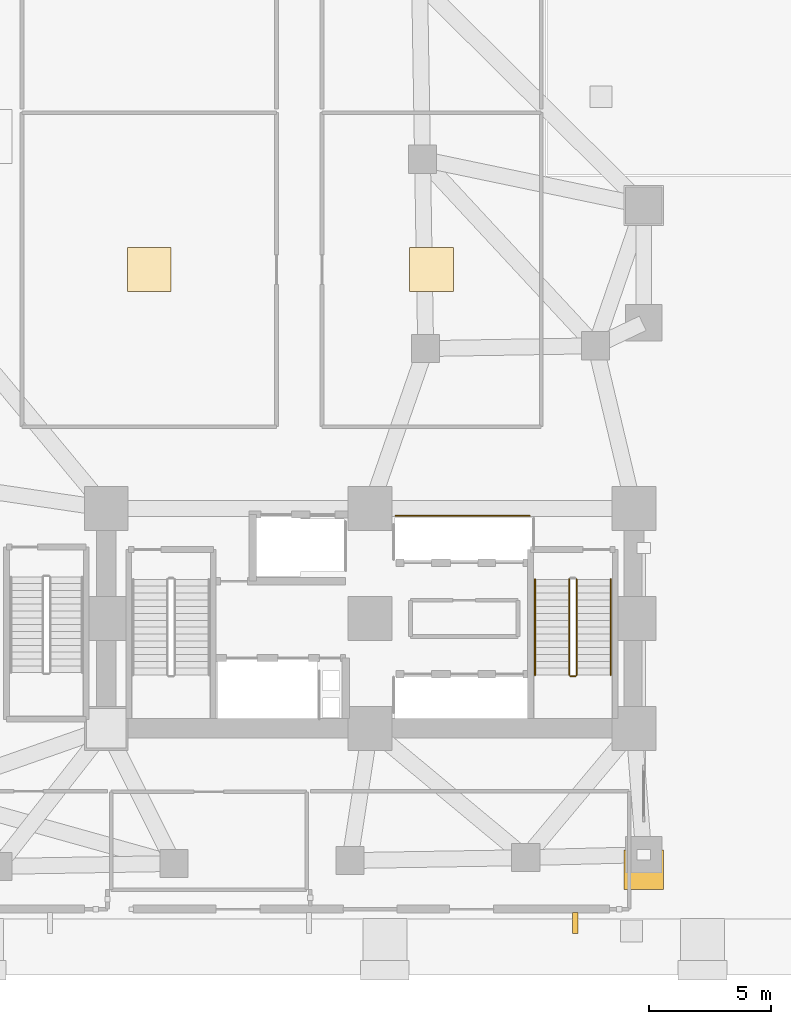
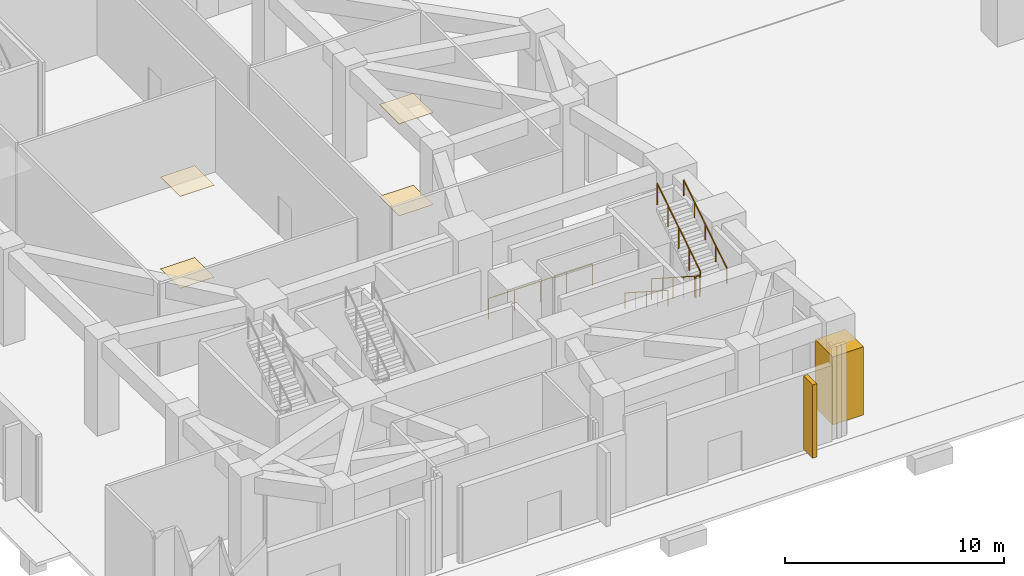
# One storey, part 15 of 19: 6 railings, 5 coverings, 1 shading device.
"""IFC4 building model written with IfcOpenShell, lengths in metres."""

from ifc_helpers import new_model, si_unit, direction, frame, origin, origin_2d, place, context, subcontext, project, spatial, rectangle, circle, extrude, material, layer, layer_set, type_object, element, save


model = new_model("IFC4")

# Units and contexts
model_context = context("Model", 3, precision=1e-05, world=origin(), true_north=direction((0.0, 1.0)))
body_context = subcontext(model_context, "Body", "Model", "MODEL_VIEW")
ifc_project = project(units=[si_unit("LENGTHUNIT", "METRE"), si_unit("AREAUNIT", "SQUARE_METRE"), si_unit("VOLUMEUNIT", "CUBIC_METRE"), si_unit("PLANEANGLEUNIT", "RADIAN"), si_unit("MASSUNIT", "GRAM", prefix="KILO")], contexts=[model_context])

# Site, building, storey
site_placement = place(None, origin())
site = spatial("IfcSite", under=ifc_project, at=site_placement, CompositionType="ELEMENT")
building_placement = place(site_placement, origin())
building = spatial("IfcBuilding", under=site, at=building_placement, Name="Gaonmaruhae Medical Tower", CompositionType="ELEMENT")
storey_placement = place(building_placement, origin())
storey = spatial("IfcBuildingStorey", under=building, at=storey_placement, Name="L00", CompositionType="ELEMENT", Elevation=0.0)

# Coverings
ifc_material_1 = material(Name="Architectural precast column cladding", Category="concrete")
ifc_layer_1 = layer(ifc_material_1, 0.06005859375)
ifc_layer_set_1 = layer_set([ifc_layer_1], Name="Architectural precast column cladding")
covering_type_1 = type_object("IfcCoveringType", Name="CLD-01 Architectural Precast Pier Cladding", PredefinedType="CLADDING", material=ifc_layer_set_1)
covering_placement = place(storey_placement, frame((36.0, 2.02001953125, 0.10009765625), z_axis=(0.0, 0.0, 1.0), x_axis=(1.0, 0.0, 0.0)))
element("IfcCovering", 1, at=covering_placement, inside=storey, type_object=covering_type_1, Name="L00 Architectural Precast Column Cladding 1", PredefinedType="CLADDING", context=body_context, shape_type="SweptSolid", body=[
    extrude(rectangle(XDim=1.6201171875, YDim=1.6201171875, at=origin_2d()), origin(), (0.0, 0.0, 1.0), 3.800048828125),
])
ifc_material_2 = material(Name="Acoustic mineral ceiling tile", Category="finish")
ifc_layer_2 = layer(ifc_material_2, 0.02490234375)
ifc_layer_set_2 = layer_set([ifc_layer_2], Name="Acoustic mineral ceiling tile")
covering_type_2 = type_object("IfcCoveringType", Name="CLG-01 Antimicrobial Acoustic Mineral Ceiling", PredefinedType="CEILING", material=ifc_layer_set_2)
for number, where, z_axis, x_axis, name in (
    (2, (15.760009765625, 26.574951171875, 5.125), (0.0, 0.0, 1.0), (1.0, 0.0, 0.0), "L00 Clinical Room Acoustic Ceiling 3"),
    (3, (27.31494140625, 26.574951171875, 5.125), (0.0, 0.0, 1.0), (1.0, 0.0, 0.0), "L00 Clinical Room Acoustic Ceiling 4"),
):
    element("IfcCovering", number, at=place(storey_placement, frame(where, z_axis=z_axis, x_axis=x_axis)), inside=storey, type_object=covering_type_2, Name=name, PredefinedType="CEILING", context=body_context, shape_type="SweptSolid", body=[
        extrude(rectangle(XDim=1.800048828125, YDim=1.800048828125, at=origin_2d()), origin(), (0.0, 0.0, 1.0), 0.02490234375),
    ])
ifc_material_3 = material(Name="Seamless clinical vinyl flooring", Category="finish")
ifc_layer_3 = layer(ifc_material_3, 0.014892578125)
ifc_layer_set_3 = layer_set([ifc_layer_3], Name="Seamless clinical vinyl flooring")
covering_type_3 = type_object("IfcCoveringType", Name="FLR-01 Seamless Clinical Antistatic Vinyl Flooring", PredefinedType="FLOORING", material=ifc_layer_set_3)
for number, where, z_axis, x_axis, name in (
    (4, (15.760009765625, 26.574951171875, 0.0), (0.0, 0.0, 1.0), (1.0, 0.0, 0.0), "L00 Clinical Room Vinyl Flooring 3"),
    (5, (27.31494140625, 26.574951171875, 0.0), (0.0, 0.0, 1.0), (1.0, 0.0, 0.0), "L00 Clinical Room Vinyl Flooring 4"),
):
    element("IfcCovering", number, at=place(storey_placement, frame(where, z_axis=z_axis, x_axis=x_axis)), inside=storey, type_object=covering_type_3, Name=name, PredefinedType="FLOORING", context=body_context, shape_type="SweptSolid", body=[
        extrude(rectangle(XDim=1.800048828125, YDim=1.800048828125, at=origin_2d()), origin(), (0.0, 0.0, 1.0), 0.014892578125),
    ])

# Railings
ifc_material_4 = material(Name="Stainless steel 304 handrail", Category="steel")
railing_type_1 = type_object("IfcRailingType", Name="HR-092 Continuous Stainless Steel Stair Handrail", PredefinedType="HANDRAIL", material=ifc_material_4)
railing_1_placement = place(storey_placement, frame((31.550048828125, 13.89990234375, 0.179931640625)))
element("IfcRailing", 6, at=railing_1_placement, inside=storey, type_object=railing_type_1, Name="L00 ST-02 stair handrail 1", PredefinedType="HANDRAIL", context=body_context, shape_type="SweptSolid", body=[
    extrude(circle(Radius=0.02392578125, at=origin_2d()), frame((0.0, 0.0, 0.8759765625), z_axis=(0.0, -0.841171666519, 0.540768182723), x_axis=(1.0, 0.0, 0.0)), (0.0, 0.0, 1.0), 4.66015625),
    extrude(circle(Radius=0.02099609375, at=origin_2d()), origin(), (0.0, 0.0, 1.0), 0.851806640625),
    extrude(circle(Radius=0.02099609375, at=origin_2d()), frame((0.0, -0.97998046875, 0.6298828125)), (0.0, 0.0, 1.0), 0.851806640625),
    extrude(circle(Radius=0.02099609375, at=origin_2d()), frame((0.0, -1.9599609375, 1.260009765625)), (0.0, 0.0, 1.0), 0.851806640625),
    extrude(circle(Radius=0.02099609375, at=origin_2d()), frame((0.0, -2.93994140625, 1.89013671875)), (0.0, 0.0, 1.0), 0.851806640625),
    extrude(circle(Radius=0.02099609375, at=origin_2d()), frame((0.0, -3.919921875, 2.52001953125)), (0.0, 0.0, 1.0), 0.851806640625),
])
railing_2_placement = place(storey_placement, frame((34.64990234375, 9.97998046875, 2.8798828125)))
element("IfcRailing", 7, at=railing_2_placement, inside=storey, type_object=railing_type_1, Name="L00 ST-02 stair handrail 2", PredefinedType="HANDRAIL", context=body_context, shape_type="SweptSolid", body=[
    extrude(circle(Radius=0.02392578125, at=origin_2d()), frame((0.0, 0.0, 0.8759765625), z_axis=(0.0, 0.841171666519, 0.540768182723), x_axis=(-1.0, 0.0, 0.0)), (0.0, 0.0, 1.0), 4.66015625),
    extrude(circle(Radius=0.02099609375, at=origin_2d()), origin(), (0.0, 0.0, 1.0), 0.851806640625),
    extrude(circle(Radius=0.02099609375, at=origin_2d()), frame((0.0, 0.97998046875, 0.6298828125)), (0.0, 0.0, 1.0), 0.851806640625),
    extrude(circle(Radius=0.02099609375, at=origin_2d()), frame((0.0, 1.9599609375, 1.260009765625)), (0.0, 0.0, 1.0), 0.851806640625),
    extrude(circle(Radius=0.02099609375, at=origin_2d()), frame((0.0, 2.93994140625, 1.89013671875)), (0.0, 0.0, 1.0), 0.851806640625),
    extrude(circle(Radius=0.02099609375, at=origin_2d()), frame((0.0, 3.919921875, 2.52001953125)), (0.0, 0.0, 1.0), 0.851806640625),
])

# Shading device
ifc_material_5 = material(Name="Pigmented coral precast concrete C45/55", Category="concrete")
shading_device_type = type_object("IfcShadingDeviceType", Name="SD-FIN2 Podium Vertical Coral Precast Shading Fin", PredefinedType="USERDEFINED", material=ifc_material_5)
shading_device_placement = place(storey_placement, frame((33.199951171875, -0.1650390625, 0.06494140625), z_axis=(0.0, 0.0, 1.0), x_axis=(-1.0, 0.0, 0.0)))
element("IfcShadingDevice", 8, at=shading_device_placement, inside=storey, type_object=shading_device_type, Name="L00 Podium Coral Precast Shading Fin PB-S3", ObjectType="FIN", PredefinedType="USERDEFINED", context=body_context, shape_type="SweptSolid", body=[
    extrude(rectangle(XDim=0.219970703125, YDim=0.85009765625, at=origin_2d()), origin(), (0.0, 0.0, 1.0), 4.10009765625),
])

# Railings
ifc_material_6 = material(Name="Stainless steel 304 balustrade", Category="steel")
railing_type_2 = type_object("IfcRailingType", Name="SG-112 Stair Well & Ramp Void Safety Balustrade", PredefinedType="BALUSTRADE", material=ifc_material_6)
railing_3_placement = place(storey_placement, frame((32.949951171875, 13.89990234375, 0.179931640625)))
element("IfcRailing", 9, at=railing_3_placement, inside=storey, type_object=railing_type_2, Name="L00 ST-02 stair guard 1", PredefinedType="BALUSTRADE", context=body_context, shape_type="SweptSolid", body=[
    extrude(circle(Radius=0.02392578125, at=origin_2d()), frame((0.0, 0.0, 1.17578125), z_axis=(0.0, -0.841171666519, 0.540768182723), x_axis=(1.0, 0.0, 0.0)), (0.0, 0.0, 1.0), 4.66015625),
    extrude(circle(Radius=0.02099609375, at=origin_2d()), origin(), (0.0, 0.0, 1.0), 1.15185546875),
    extrude(circle(Radius=0.02099609375, at=origin_2d()), frame((0.0, -0.97998046875, 0.6298828125)), (0.0, 0.0, 1.0), 1.15185546875),
    extrude(circle(Radius=0.02099609375, at=origin_2d()), frame((0.0, -1.9599609375, 1.260009765625)), (0.0, 0.0, 1.0), 1.15185546875),
    extrude(circle(Radius=0.02099609375, at=origin_2d()), frame((0.0, -2.93994140625, 1.89013671875)), (0.0, 0.0, 1.0), 1.15185546875),
    extrude(circle(Radius=0.02099609375, at=origin_2d()), frame((0.0, -3.919921875, 2.52001953125)), (0.0, 0.0, 1.0), 1.15185546875),
])
railing_4_placement = place(storey_placement, frame((33.0, 9.929931640625, 2.699951171875)))
element("IfcRailing", 10, at=railing_4_placement, inside=storey, type_object=railing_type_2, Name="L00 ST-02 stair guard 2", PredefinedType="BALUSTRADE", context=body_context, shape_type="SweptSolid", body=[
    extrude(circle(Radius=0.02392578125, at=origin_2d()), frame((0.0, 0.0, 1.17578125), z_axis=(1.0, 0.0, 0.0), x_axis=(0.0, 1.0, 0.0)), (0.0, 0.0, 1.0), 0.199951171875),
    extrude(circle(Radius=0.02099609375, at=origin_2d()), origin(), (0.0, 0.0, 1.0), 1.15185546875),
    extrude(circle(Radius=0.02099609375, at=origin_2d()), frame((0.199951171875, 0.0, 0.0)), (0.0, 0.0, 1.0), 1.15185546875),
])
railing_5_placement = place(storey_placement, frame((33.25, 9.97998046875, 2.8798828125)))
element("IfcRailing", 11, at=railing_5_placement, inside=storey, type_object=railing_type_2, Name="L00 ST-02 stair guard 3", PredefinedType="BALUSTRADE", context=body_context, shape_type="SweptSolid", body=[
    extrude(circle(Radius=0.02392578125, at=origin_2d()), frame((0.0, 0.0, 1.17578125), z_axis=(0.0, 0.841171666519, 0.540768182723), x_axis=(-1.0, 0.0, 0.0)), (0.0, 0.0, 1.0), 4.66015625),
    extrude(circle(Radius=0.02099609375, at=origin_2d()), origin(), (0.0, 0.0, 1.0), 1.15185546875),
    extrude(circle(Radius=0.02099609375, at=origin_2d()), frame((0.0, 0.97998046875, 0.6298828125)), (0.0, 0.0, 1.0), 1.15185546875),
    extrude(circle(Radius=0.02099609375, at=origin_2d()), frame((0.0, 1.9599609375, 1.260009765625)), (0.0, 0.0, 1.0), 1.15185546875),
    extrude(circle(Radius=0.02099609375, at=origin_2d()), frame((0.0, 2.93994140625, 1.89013671875)), (0.0, 0.0, 1.0), 1.15185546875),
    extrude(circle(Radius=0.02099609375, at=origin_2d()), frame((0.0, 3.919921875, 2.52001953125)), (0.0, 0.0, 1.0), 1.15185546875),
])
railing_6_placement = place(storey_placement, frame((25.844970703125, 16.4951171875, 0.0)))
element("IfcRailing", 12, at=railing_6_placement, inside=storey, type_object=railing_type_2, Name="L00 Shaft Edge Safety Guard 06", PredefinedType="BALUSTRADE", context=body_context, shape_type="SweptSolid", body=[
    extrude(circle(Radius=0.02392578125, at=origin_2d()), frame((0.0, 0.0, 1.17578125), z_axis=(1.0, 0.0, 0.0), x_axis=(0.0, 1.0, 0.0)), (0.0, 0.0, 1.0), 5.485107421875),
    extrude(circle(Radius=0.02099609375, at=origin_2d()), origin(), (0.0, 0.0, 1.0), 1.15185546875),
    extrude(circle(Radius=0.02099609375, at=origin_2d()), frame((1.371337890625, 0.0, 0.0)), (0.0, 0.0, 1.0), 1.15185546875),
    extrude(circle(Radius=0.02099609375, at=origin_2d()), frame((2.74267578125, 0.0, 0.0)), (0.0, 0.0, 1.0), 1.15185546875),
    extrude(circle(Radius=0.02099609375, at=origin_2d()), frame((4.11376953125, 0.0, 0.0)), (0.0, 0.0, 1.0), 1.15185546875),
    extrude(circle(Radius=0.02099609375, at=origin_2d()), frame((5.485107421875, 0.0, 0.0)), (0.0, 0.0, 1.0), 1.15185546875),
])

save(model, "model.ifc")
